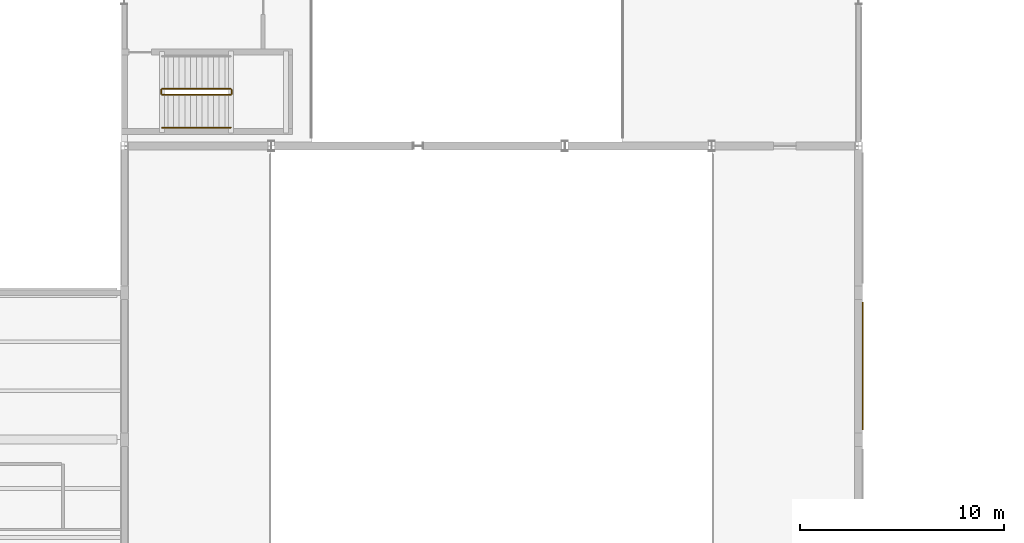
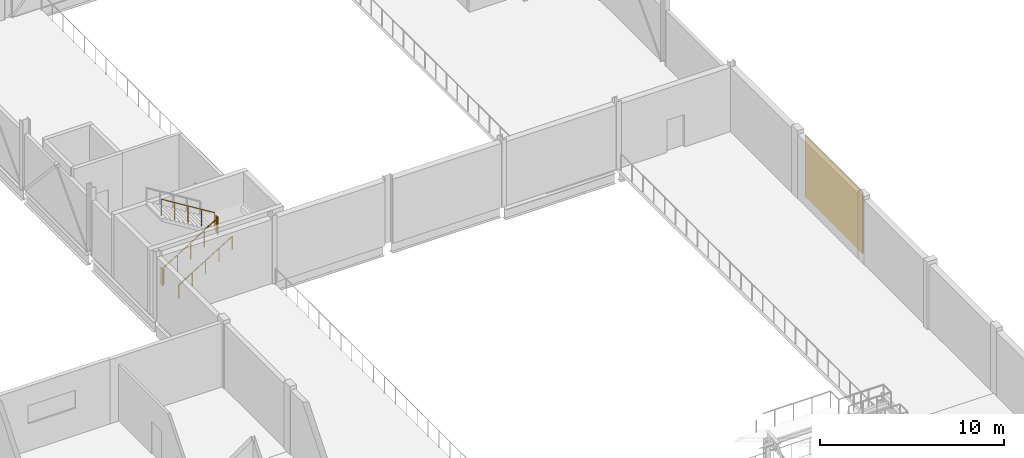
# One storey, part 101 of 105: 5 railings, 1 covering.
"""IFC4 building model written with IfcOpenShell, lengths in metres."""

from ifc_helpers import new_model, si_unit, direction, frame, origin, origin_2d, place, context, subcontext, project, spatial, rectangle, circle, extrude, material, layer, layer_set, type_object, element, save


model = new_model("IFC4")

# Units and contexts
model_context = context("Model", 3, precision=1e-05, world=origin(), true_north=direction((0.0, 1.0)))
body_context = subcontext(model_context, "Body", "Model", "MODEL_VIEW")
ifc_project = project(units=[si_unit("LENGTHUNIT", "METRE"), si_unit("AREAUNIT", "SQUARE_METRE"), si_unit("VOLUMEUNIT", "CUBIC_METRE"), si_unit("PLANEANGLEUNIT", "RADIAN"), si_unit("MASSUNIT", "GRAM", prefix="KILO"), si_unit("THERMODYNAMICTEMPERATUREUNIT", "KELVIN"), si_unit("POWERUNIT", "WATT")], contexts=[model_context])

# Site, building, storey
site_placement = place(None, origin())
site = spatial("IfcSite", under=ifc_project, at=site_placement, CompositionType="ELEMENT")
building_placement = place(site_placement, origin())
building = spatial("IfcBuilding", under=site, at=building_placement, Name="Kaldorven Railside Theatre", CompositionType="ELEMENT")
storey_placement = place(building_placement, frame((0.0, 0.0, 9.89990234375)))
storey = spatial("IfcBuildingStorey", under=building, at=storey_placement, Name="L02", CompositionType="ELEMENT", Elevation=9.89990234375)

# Covering
ifc_material_1 = material(Name="Bush-hammered precast concrete C40/50", Category="concrete")
ifc_layer = layer(ifc_material_1, 0.050048828125, Name="Bush-hammered precast concrete C40/50")
ifc_layer_set = layer_set([ifc_layer], Name="Bush-hammered precast concrete C40/50")
covering_type = type_object("IfcCoveringType", Name="COV-CLD-01", PredefinedType="CLADDING", material=ifc_layer_set)
covering_placement = place(storey_placement, frame((123.410888671875, 73.199951171875, 0.10009765625), z_axis=(0.0, 0.0, 1.0), x_axis=(0.0, -1.0, 0.0)))
element("IfcCovering", 1, at=covering_placement, inside=storey, type_object=covering_type, Name="Bush-Hammered Laterite Rainscreen Panel CLD-014", PredefinedType="CLADDING", context=body_context, shape_type="SweptSolid", body=[
    extrude(rectangle(XDim=6.25, YDim=0.050048828125, at=origin_2d()), origin(), (0.0, 0.0, 1.0), 4.06005859375),
])

# Railings
ifc_material_2 = material(Name="Steel S355", Category="steel")
railing_type_1 = type_object("IfcRailingType", Name="RLG-STG-1100", PredefinedType="BALUSTRADE", material=ifc_material_2)
railing_1_placement = place(storey_placement, frame((89.050048828125, 86.5, 0.173095703125)))
element("IfcRailing", 2, at=railing_1_placement, inside=storey, type_object=railing_type_1, Name="L02 ST-05 stair guard 1", PredefinedType="BALUSTRADE", context=body_context, shape_type="SweptSolid", body=[
    extrude(circle(Radius=0.02392578125, at=origin_2d()), frame((0.0, 0.0, 1.09619140625), z_axis=(0.850606129759, 0.0, 0.525803396734), x_axis=(0.0, 1.0, 0.0)), (0.0, 0.0, 1.0), 3.949951171875),
    extrude(circle(Radius=0.02099609375, at=origin_2d()), origin(), (0.0, 0.0, 1.0), 1.072021484375),
    extrude(circle(Radius=0.02099609375, at=origin_2d()), frame((0.83984375, 0.0, 0.519287109375)), (0.0, 0.0, 1.0), 1.072021484375),
    extrude(circle(Radius=0.02099609375, at=origin_2d()), frame((1.679931640625, 0.0, 1.03857421875)), (0.0, 0.0, 1.0), 1.072021484375),
    extrude(circle(Radius=0.02099609375, at=origin_2d()), frame((2.52001953125, 0.0, 1.5576171875)), (0.0, 0.0, 1.0), 1.072021484375),
    extrude(circle(Radius=0.02099609375, at=origin_2d()), frame((3.35986328125, 0.0, 2.076904296875)), (0.0, 0.0, 1.0), 1.072021484375),
])
railing_2_placement = place(storey_placement, frame((92.4599609375, 86.550048828125, 2.25)))
element("IfcRailing", 3, at=railing_2_placement, inside=storey, type_object=railing_type_1, Name="L02 ST-05 stair guard 2", PredefinedType="BALUSTRADE", context=body_context, shape_type="SweptSolid", body=[
    extrude(circle(Radius=0.02392578125, at=origin_2d()), frame((0.0, 0.0, 1.09619140625), z_axis=(0.0, 1.0, 0.0), x_axis=(-1.0, 0.0, 0.0)), (0.0, 0.0, 1.0), 0.199951171875),
    extrude(circle(Radius=0.02099609375, at=origin_2d()), origin(), (0.0, 0.0, 1.0), 1.072021484375),
    extrude(circle(Radius=0.02099609375, at=origin_2d()), frame((0.0, 0.199951171875, 0.0)), (0.0, 0.0, 1.0), 1.072021484375),
])
railing_3_placement = place(storey_placement, frame((92.409912109375, 86.800048828125, 2.423095703125)))
element("IfcRailing", 4, at=railing_3_placement, inside=storey, type_object=railing_type_1, Name="L02 ST-05 stair guard 3", PredefinedType="BALUSTRADE", context=body_context, shape_type="SweptSolid", body=[
    extrude(circle(Radius=0.02392578125, at=origin_2d()), frame((0.0, 0.0, 1.09619140625), z_axis=(-0.850606129759, 0.0, 0.525803396734), x_axis=(0.0, -1.0, 0.0)), (0.0, 0.0, 1.0), 3.949951171875),
    extrude(circle(Radius=0.02099609375, at=origin_2d()), origin(), (0.0, 0.0, 1.0), 1.072021484375),
    extrude(circle(Radius=0.02099609375, at=origin_2d()), frame((-0.83984375, 0.0, 0.519287109375)), (0.0, 0.0, 1.0), 1.072021484375),
    extrude(circle(Radius=0.02099609375, at=origin_2d()), frame((-1.679931640625, 0.0, 1.03857421875)), (0.0, 0.0, 1.0), 1.072021484375),
    extrude(circle(Radius=0.02099609375, at=origin_2d()), frame((-2.52001953125, 0.0, 1.5576171875)), (0.0, 0.0, 1.0), 1.072021484375),
    extrude(circle(Radius=0.02099609375, at=origin_2d()), frame((-3.35986328125, 0.0, 2.076904296875)), (0.0, 0.0, 1.0), 1.072021484375),
])
railing_4_placement = place(storey_placement, frame((89.0, 86.550048828125, 0.0)))
element("IfcRailing", 5, at=railing_4_placement, inside=storey, type_object=railing_type_1, Name="L02 ST-05 stair guard 4", PredefinedType="BALUSTRADE", context=body_context, shape_type="SweptSolid", body=[
    extrude(circle(Radius=0.02392578125, at=origin_2d()), frame((0.0, 0.0, 1.09619140625), z_axis=(0.0, 1.0, 0.0), x_axis=(-1.0, 0.0, 0.0)), (0.0, 0.0, 1.0), 0.199951171875),
    extrude(circle(Radius=0.02099609375, at=origin_2d()), origin(), (0.0, 0.0, 1.0), 1.072021484375),
    extrude(circle(Radius=0.02099609375, at=origin_2d()), frame((0.0, 0.199951171875, 0.0)), (0.0, 0.0, 1.0), 1.072021484375),
])
railing_type_2 = type_object("IfcRailingType", Name="RLG-STH-900", PredefinedType="HANDRAIL", material=ifc_material_2)
railing_5_placement = place(storey_placement, frame((89.050048828125, 84.89990234375, 0.173095703125)))
element("IfcRailing", 6, at=railing_5_placement, inside=storey, type_object=railing_type_2, Name="L02 ST-05 stair handrail 1", PredefinedType="HANDRAIL", context=body_context, shape_type="SweptSolid", body=[
    extrude(circle(Radius=0.02392578125, at=origin_2d()), frame((0.0, 0.0, 0.8759765625), z_axis=(0.850606129759, 0.0, 0.525803396734), x_axis=(0.0, 1.0, 0.0)), (0.0, 0.0, 1.0), 3.949951171875),
    extrude(circle(Radius=0.02099609375, at=origin_2d()), origin(), (0.0, 0.0, 1.0), 0.851806640625),
    extrude(circle(Radius=0.02099609375, at=origin_2d()), frame((0.83984375, 0.0, 0.519287109375)), (0.0, 0.0, 1.0), 0.851806640625),
    extrude(circle(Radius=0.02099609375, at=origin_2d()), frame((1.679931640625, 0.0, 1.03857421875)), (0.0, 0.0, 1.0), 0.851806640625),
    extrude(circle(Radius=0.02099609375, at=origin_2d()), frame((2.52001953125, 0.0, 1.5576171875)), (0.0, 0.0, 1.0), 0.851806640625),
    extrude(circle(Radius=0.02099609375, at=origin_2d()), frame((3.35986328125, 0.0, 2.076904296875)), (0.0, 0.0, 1.0), 0.851806640625),
])

save(model, "model.ifc")
